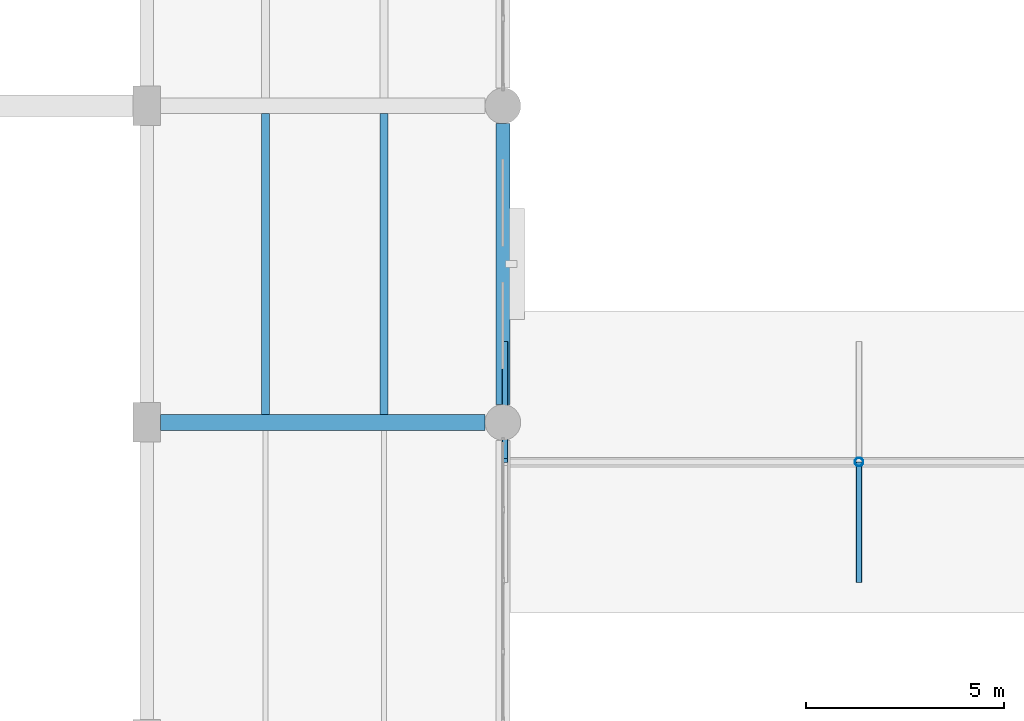
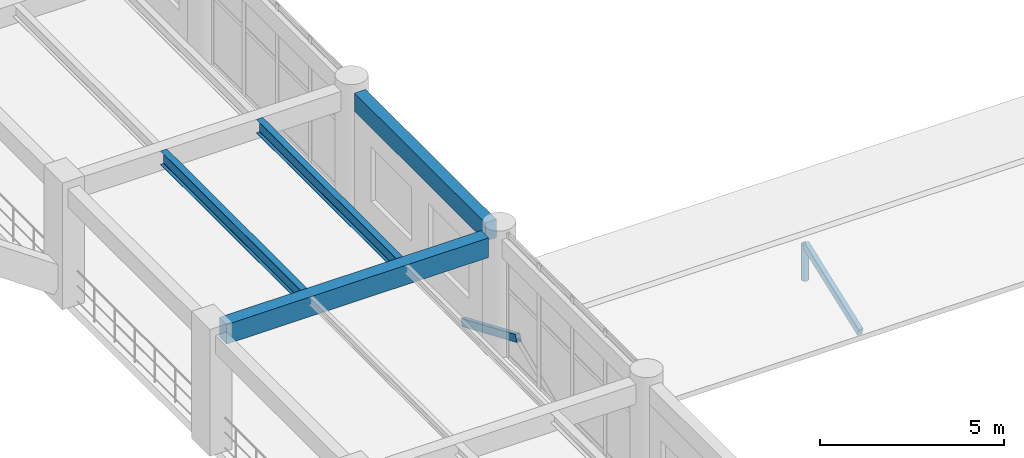
# One storey, part 49 of 148: 4 beams, 3 members.
"""IFC4 building model written with IfcOpenShell, lengths in metres."""

from ifc_helpers import new_model, si_unit, derived_unit, direction, frame, origin, origin_2d, place, context, subcontext, project, spatial, rectangle, hollow_rectangle, hollow_circle, i_section, extrude, material, material_profile, profile_set, type_object, element, save


model = new_model("IFC4")

# Units and contexts
model_context = context("Model", 3, precision=1e-05, world=origin(), true_north=direction((0.0, 1.0)))
body_context = subcontext(model_context, "Body", "Model", "MODEL_VIEW")
ifc_project = project(units=[si_unit("LENGTHUNIT", "METRE"), si_unit("AREAUNIT", "SQUARE_METRE"), si_unit("VOLUMEUNIT", "CUBIC_METRE"), si_unit("PLANEANGLEUNIT", "RADIAN"), si_unit("MASSUNIT", "GRAM", prefix="KILO"), derived_unit("THERMALTRANSMITTANCEUNIT", [(si_unit("MASSUNIT", "GRAM", prefix="KILO"), 1), (si_unit("TIMEUNIT", "SECOND"), -3), (si_unit("THERMODYNAMICTEMPERATUREUNIT", "KELVIN"), -1)])], contexts=[model_context])

# Site, building, storey
site_placement = place(None, origin())
site = spatial("IfcSite", under=ifc_project, at=site_placement, CompositionType="ELEMENT")
building_placement = place(site_placement, origin())
building = spatial("IfcBuilding", under=site, at=building_placement, Name="Zhenchuan Archway Interchange", CompositionType="ELEMENT")
storey_placement = place(building_placement, frame((0.0, 0.0, 10.199951171875)))
storey = spatial("IfcBuildingStorey", under=building, at=storey_placement, Name="L02", CompositionType="ELEMENT", Elevation=10.199951171875)

# Beams
ifc_material_1 = material(Name="Concrete C40", Category="concrete")
ifc_material_profile_1 = material_profile(ifc_material_1, rectangle(XDim=0.39990234375, YDim=0.64990234375, at=origin_2d()), Name="RC 400x650")
ifc_profile_set_1 = profile_set([ifc_material_profile_1], Name="Concrete C40")
beam_type_1 = type_object("IfcBeamType", Name="BM_RC_400x650", PredefinedType="BEAM", material=ifc_profile_set_1)
beam_1_placement = place(storey_placement, frame((63.35009765625, 56.0, 3.614990234375), z_axis=(1.0, 0.0, 0.0), x_axis=(0.0, 1.0, 0.0)))
element("IfcBeam", 1, at=beam_1_placement, inside=storey, type_object=beam_type_1, Name="Beam H:8-9 (L02)", PredefinedType="BEAM", context=body_context, shape_type="SweptSolid", body=[
    extrude(rectangle(XDim=0.39990234375, YDim=0.64990234375, at=origin_2d()), origin(), (0.0, 0.0, 1.0), 8.199951171875),
])
ifc_material_2 = material(Name="Steel Q355", Category="steel")
ifc_material_profile_2 = material_profile(ifc_material_2, i_section(OverallWidth=0.199951171875, OverallDepth=0.449951171875, WebThickness=0.009033203125, FlangeThickness=0.013916015625, FilletRadius=0.01806640625, at=origin_2d()), Name="HN 450x200")
ifc_profile_set_2 = profile_set([ifc_material_profile_2], Name="Steel Q355")
beam_type_2 = type_object("IfcBeamType", Name="JST_STL_HN450", PredefinedType="JOIST", material=ifc_profile_set_2)
for number, where, z_axis, x_axis, name in (
    (2, (66.0, 56.199951171875, 3.715087890625), (0.0, 1.0, 0.0), (-1.0, 0.0, 0.0), "Secondary joist 8-9/H-J #1 (L02)"),
    (3, (69.0, 56.199951171875, 3.715087890625), (0.0, 1.0, 0.0), (-1.0, 0.0, 0.0), "Secondary joist 8-9/H-J #2 (L02)"),
):
    element("IfcBeam", number, at=place(storey_placement, frame(where, z_axis=z_axis, x_axis=x_axis)), inside=storey, type_object=beam_type_2, Name=name, PredefinedType="JOIST", context=body_context, shape_type="SweptSolid", body=[
        extrude(i_section(OverallWidth=0.199951171875, OverallDepth=0.449951171875, WebThickness=0.009033203125, FlangeThickness=0.013916015625, FilletRadius=0.01806640625, at=origin_2d()), origin(), (0.0, 0.0, 1.0), 7.60009765625),
    ])

# Members
ifc_material_profile_3 = material_profile(ifc_material_2, hollow_circle(Radius=0.109619140625, WallThickness=0.008056640625, at=origin_2d()), Name="CHS 219x8")
ifc_profile_set_3 = profile_set([ifc_material_profile_3], Name="Steel Q355")
member_type_1 = type_object("IfcMemberType", Name="MB_CHS219", PredefinedType="BRACE", material=ifc_profile_set_3)
member_1_placement = place(storey_placement, frame((81.0, 55.0, -0.25), z_axis=(0.0, 0.0, 1.0), x_axis=(1.0, 0.0, 0.0)))
element("IfcMember", 4, at=member_1_placement, inside=storey, type_object=member_type_1, Name="Footbridge roof king-post X81", PredefinedType="BRACE", context=body_context, shape_type="SweptSolid", body=[
    extrude(hollow_circle(Radius=0.109619140625, WallThickness=0.008056640625, at=origin_2d()), origin(), (0.0, 0.0, 1.0), 1.170166015625),
])
ifc_material_profile_4 = material_profile(ifc_material_2, hollow_rectangle(XDim=0.14990234375, YDim=0.25, WallThickness=0.008056640625, InnerFilletRadius=0.008056640625, OuterFilletRadius=0.01611328125, at=origin_2d()), Name="RHS 250x150x8")
ifc_profile_set_4 = profile_set([ifc_material_profile_4], Name="Steel Q355")
member_type_2 = type_object("IfcMemberType", Name="MB_RHS250", PredefinedType="PURLIN", material=ifc_profile_set_4)
member_2_placement = place(storey_placement, frame((72.050048828125, 58.0, -0.349853515625), z_axis=(0.0, -0.918980284136, 0.39430348384), x_axis=(1.0, 0.0, 0.0)))
element("IfcMember", 5, at=member_2_placement, inside=storey, type_object=member_type_2, Name="Footbridge north roof rafter X72", PredefinedType="PURLIN", context=body_context, shape_type="SweptSolid", body=[
    extrude(hollow_rectangle(XDim=0.14990234375, YDim=0.25, WallThickness=0.008056640625, InnerFilletRadius=0.008056640625, OuterFilletRadius=0.01611328125, at=origin_2d()), origin(), (0.0, 0.0, 1.0), 3.220947265625),
])
member_3_placement = place(storey_placement, frame((81.0, 52.0, -0.179931640625), z_axis=(0.0, 0.937354594171, 0.348376756956), x_axis=(-1.0, 0.0, 0.0)))
element("IfcMember", 6, at=member_3_placement, inside=storey, type_object=member_type_2, Name="Footbridge south roof rafter X81", PredefinedType="PURLIN", context=body_context, shape_type="SweptSolid", body=[
    extrude(hollow_rectangle(XDim=0.14990234375, YDim=0.25, WallThickness=0.008056640625, InnerFilletRadius=0.008056640625, OuterFilletRadius=0.01611328125, at=origin_2d()), origin(), (0.0, 0.0, 1.0), 3.15771484375),
])

# Beam
ifc_material_profile_5 = material_profile(ifc_material_1, rectangle(XDim=0.35009765625, YDim=0.60009765625, at=origin_2d()), Name="RC 350x600")
ifc_profile_set_5 = profile_set([ifc_material_profile_5], Name="Concrete C40")
beam_type_3 = type_object("IfcBeamType", Name="SP_RC_350x600", PredefinedType="SPANDREL", material=ifc_profile_set_5)
beam_2_placement = place(storey_placement, frame((72.0, 56.449951171875, 3.64013671875), z_axis=(0.0, 1.0, 0.0), x_axis=(-1.0, 0.0, 0.0)))
element("IfcBeam", 7, at=beam_2_placement, inside=storey, type_object=beam_type_3, Name="Beam 9:H-J (L02)", PredefinedType="SPANDREL", context=body_context, shape_type="SweptSolid", body=[
    extrude(rectangle(XDim=0.35009765625, YDim=0.60009765625, at=origin_2d()), origin(), (0.0, 0.0, 1.0), 7.10009765625),
])

save(model, "model.ifc")
